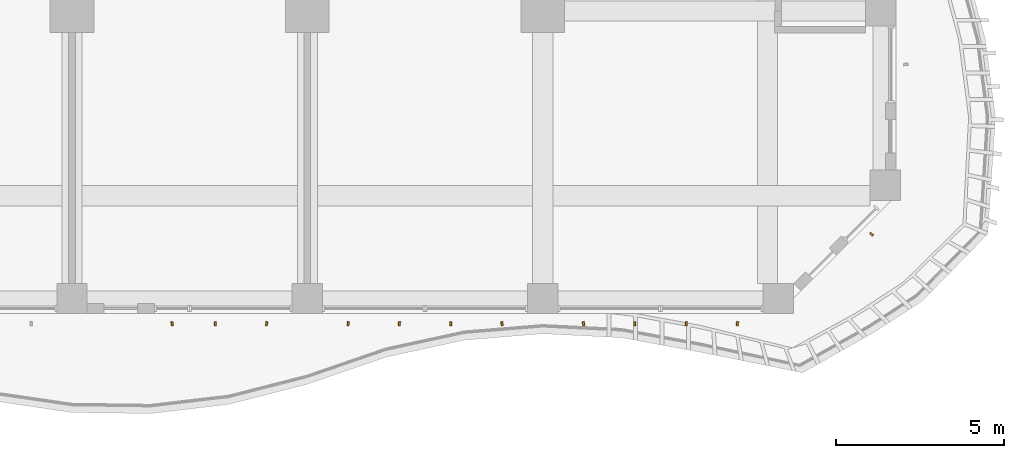
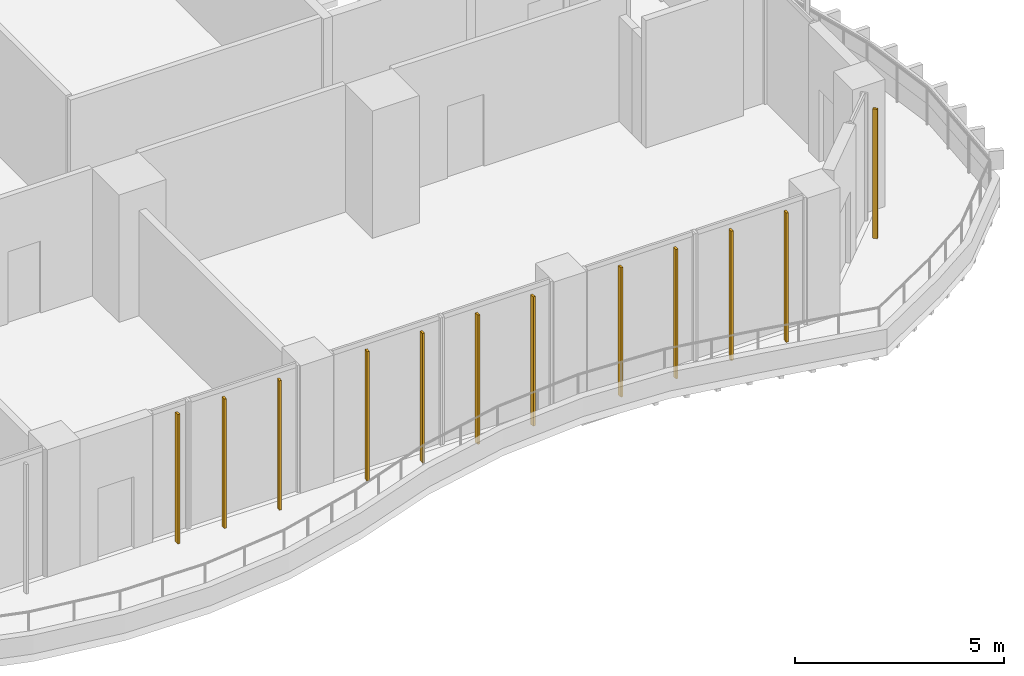
# One storey, part 22 of 27: 12 shading devices.
"""IFC4 building model written with IfcOpenShell, lengths in metres."""

from ifc_helpers import new_model, si_unit, direction, frame, origin, origin_2d, place, context, subcontext, project, spatial, rectangle, extrude, source, transform, mapped, material, material_profile, profile_set, type_object, element, save


model = new_model("IFC4")

# Units and contexts
model_context = context("Model", 3, precision=1e-05, world=origin(), true_north=direction((0.0, 1.0)))
body_context = subcontext(model_context, "Body", "Model", "MODEL_VIEW")
ifc_project = project(units=[si_unit("LENGTHUNIT", "METRE"), si_unit("AREAUNIT", "SQUARE_METRE"), si_unit("VOLUMEUNIT", "CUBIC_METRE"), si_unit("PLANEANGLEUNIT", "RADIAN"), si_unit("MASSUNIT", "GRAM", prefix="KILO")], contexts=[model_context])

# Site, building, storey
site_placement = place(None, origin())
site = spatial("IfcSite", under=ifc_project, at=site_placement, CompositionType="ELEMENT")
building_placement = place(site_placement, origin())
building = spatial("IfcBuilding", under=site, at=building_placement, Name="Kilnfold Tower and Market Hall", CompositionType="ELEMENT")
storey_placement = place(building_placement, frame((0.0, 0.0, 51.0)))
storey = spatial("IfcBuildingStorey", under=building, at=storey_placement, Name="L11", CompositionType="ELEMENT", Elevation=51.0)

# Shading devices
ifc_material = material(Name="Terracotta", Category="masonry")
ifc_material_profile = material_profile(ifc_material, rectangle(XDim=0.06005859375, YDim=0.1201171875, at=origin_2d()), Name="BAG 60x120")
ifc_profile_set = profile_set([ifc_material_profile], Name="Terracotta")
shading_device_type = type_object("IfcShadingDeviceType", Name="BAGUETTE", PredefinedType="USERDEFINED", material=ifc_profile_set)
shared_shape = source(origin(), body_context, "Body", "SweptSolid", [
    extrude(rectangle(XDim=0.06005859375, YDim=0.1201171875, at=origin_2d()), origin(), (0.0, 0.0, 1.0), 3.780029296875),
])
for number, where, z_axis, x_axis, name in (
    (1, (6.47509765625, -28.300048828125, 0.0), (0.0, 0.0, 1.0), (0.99944068486, 0.033441253657, 0.0), "Terracotta baguette L11 S"),
    (2, (7.762451171875, -28.300048828125, 0.0), (0.0, 0.0, 1.0), (0.998940987056, -0.046009829153, 0.0), "Terracotta baguette L11 S"),
    (3, (9.28759765625, -28.300048828125, 0.0), (0.0, 0.0, 1.0), (0.992927639794, -0.118721110732, 0.0), "Terracotta baguette L11 S"),
    (4, (11.71240234375, -28.300048828125, 0.0), (0.0, 0.0, 1.0), (0.992819274235, -0.119623947051, 0.0), "Terracotta baguette L11 S"),
    (5, (13.237548828125, -28.300048828125, 0.0), (0.0, 0.0, 1.0), (0.998863576341, -0.047660841992, 0.0), "Terracotta baguette L11 S"),
    (6, (14.762451171875, -28.300048828125, 0.0), (0.0, 0.0, 1.0), (0.998940987056, 0.046009829153, 0.0), "Terracotta baguette L11 S"),
    (7, (16.28759765625, -28.300048828125, 0.0), (0.0, 0.0, 1.0), (0.992927639794, 0.118721110732, 0.0), "Terracotta baguette L11 S"),
    (8, (18.71240234375, -28.300048828125, 0.0), (0.0, 0.0, 1.0), (0.992819274235, 0.119623947051, 0.0), "Terracotta baguette L11 S"),
    (9, (20.237548828125, -28.300048828125, 0.0), (0.0, 0.0, 1.0), (0.998863576341, 0.047660841992, 0.0), "Terracotta baguette L11 S"),
    (10, (21.762451171875, -28.300048828125, 0.0), (0.0, 0.0, 1.0), (0.998940987056, -0.046009829153, 0.0), "Terracotta baguette L11 S"),
    (11, (23.28759765625, -28.300048828125, 0.0), (0.0, 0.0, 1.0), (0.992927639794, -0.118721110732, 0.0), "Terracotta baguette L11 S"),
    (12, (27.28173828125, -25.642578125, 0.0), (0.0, 0.0, 1.0), (0.70177268059, 0.712400943835, 0.0), "Terracotta baguette L11 SE"),
):
    element("IfcShadingDevice", number, at=place(storey_placement, frame(where, z_axis=z_axis, x_axis=x_axis)), inside=storey, type_object=shading_device_type, Name=name, ObjectType="BAGUETTE", PredefinedType="USERDEFINED", context=body_context, shape_type="MappedRepresentation", body=[
        mapped(shared_shape, transform((0.0, 0.0, 0.0))),
    ])

save(model, "model.ifc")
